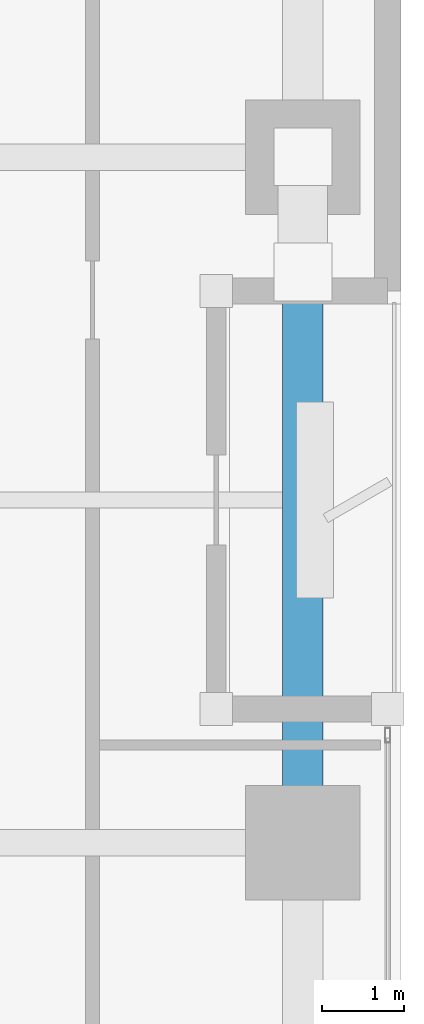
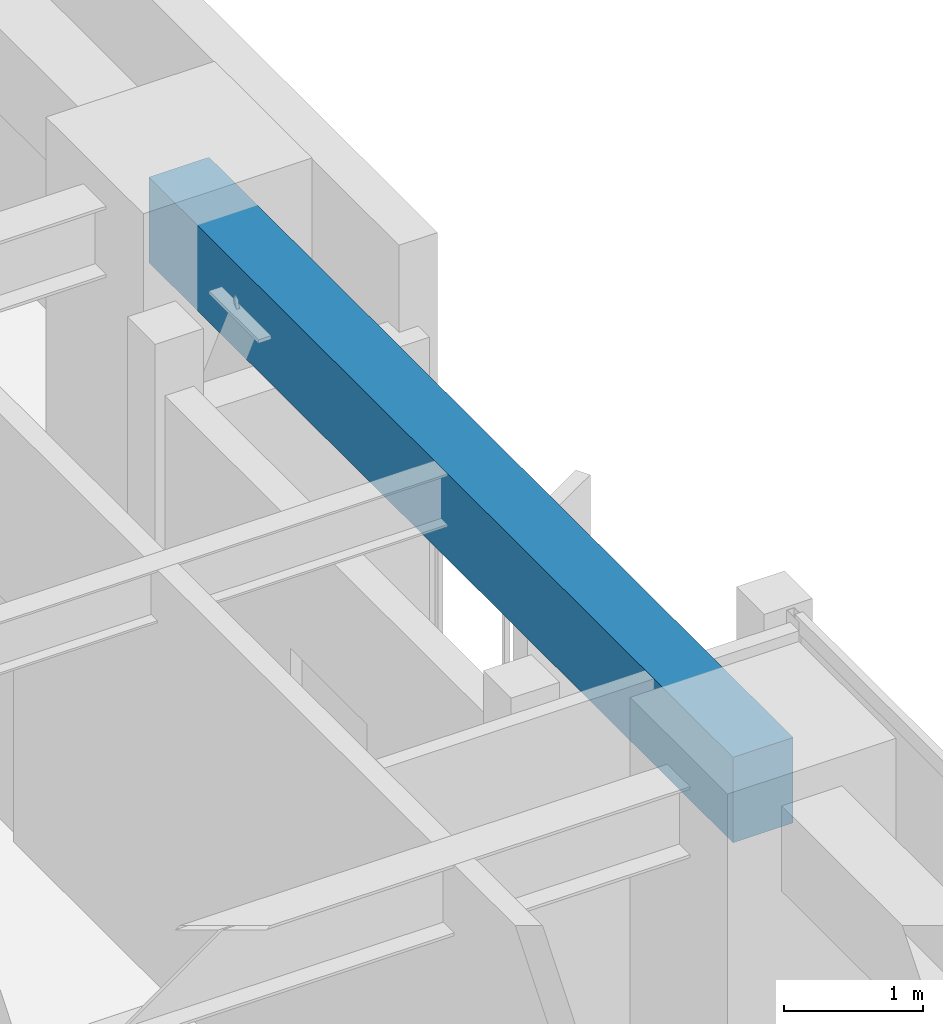
# One storey, part 7 of 24: 1 beam.
"""IFC4 building model written with IfcOpenShell, lengths in metres."""

import ifcopenshell
import ifcopenshell.guid

model = None  # the IFC model being written
_history = None  # IfcOwnerHistory: only IFC2X3 demands one
_inside = {}  # id of a spatial element -> (the spatial element, [elements in it])
_under = {}  # id of a project, library or spatial element -> (it, [spatial elements below it])
_declared = {}  # id of a project -> (the project, [libraries it declares])
_typed = {}  # id of a type object -> (the type object, [elements of that type])
_made_of = {}  # id of a material, layer set ... -> (it, [elements and type objects made of it])


def new_model(schema):
    """Start an empty IFC model of exactly this schema.

    Asked for "IFC4X3", IfcOpenShell would pick the latest addendum, in which some entities
    have other attributes; the version numbers below select the first issue.
    IFC2X3 requires an IfcOwnerHistory on every rooted entity: one is made here for all.
    """
    global model, _history
    if schema == "IFC4X3":
        model = ifcopenshell.file(schema_version=(4, 3, 0, 0))
    else:
        model = ifcopenshell.file(schema=schema)
    _inside.clear()
    _under.clear()
    _declared.clear()
    _typed.clear()
    _made_of.clear()
    _history = None
    if model.schema == "IFC2X3":
        org = make("IfcOrganization", Name="unknown")
        user = make(
            "IfcPersonAndOrganization",
            ThePerson=make("IfcPerson", FamilyName="unknown"),
            TheOrganization=org,
        )
        app = make(
            "IfcApplication",
            ApplicationDeveloper=org,
            Version="unknown",
            ApplicationFullName="unknown",
            ApplicationIdentifier="unknown",
        )
        _history = make(
            "IfcOwnerHistory",
            OwningUser=user,
            OwningApplication=app,
            ChangeAction="ADDED",
            CreationDate=0,
        )
    return model


def make(cls, **values):
    """One entity of the class cls with the attributes given. An attribute that is None is left unset."""
    return model.create_entity(
        cls, **{name: value for name, value in values.items() if value is not None}
    )


def rooted(cls, **values):
    """An entity with a GlobalId (a new one), such as an element, a storey or a relation."""
    return make(cls, GlobalId=ifcopenshell.guid.new(), OwnerHistory=_history, **values)


def si_unit(unit_type, name, prefix=None):
    """IfcSIUnit, for example si_unit("LENGTHUNIT", "METRE", prefix="MILLI")."""
    return make("IfcSIUnit", UnitType=unit_type, Prefix=prefix, Name=name)


def assignment(units):
    """IfcUnitAssignment: the units of a project."""
    return None if units is None else make("IfcUnitAssignment", Units=units)


def point(xyz):
    """IfcCartesianPoint."""
    return None if xyz is None else make("IfcCartesianPoint", Coordinates=xyz)


def direction(xyz):
    """IfcDirection."""
    return None if xyz is None else make("IfcDirection", DirectionRatios=xyz)


def frame(location, z_axis=None, x_axis=None):
    """IfcAxis2Placement3D, a coordinate frame: its origin and axes. An axis left out is left unset."""
    return make(
        "IfcAxis2Placement3D",
        Location=point(location),
        Axis=direction(z_axis),
        RefDirection=direction(x_axis),
    )


def frame_2d(location, x_axis=None):
    """IfcAxis2Placement2D, a coordinate frame in the plane: its origin and x axis."""
    return make(
        "IfcAxis2Placement2D", Location=point(location), RefDirection=direction(x_axis)
    )


def origin():
    """The frame at (0, 0, 0) with its axes left unset."""
    return frame((0.0, 0.0, 0.0))


def origin_2d():
    """The frame at (0, 0) in the plane with its x axis left unset."""
    return frame_2d((0.0, 0.0))


def place(relative_to, where):
    """IfcLocalPlacement: puts the frame where relative to a parent placement (None: the world)."""
    return make(
        "IfcLocalPlacement", PlacementRelTo=relative_to, RelativePlacement=where
    )


def context(
    kind, dimensions, precision=None, world=None, true_north=None, identifier=None
):
    """IfcGeometricRepresentationContext, for example the 3D "Model" context."""
    return make(
        "IfcGeometricRepresentationContext",
        ContextIdentifier=identifier,
        ContextType=kind,
        CoordinateSpaceDimension=dimensions,
        Precision=precision,
        WorldCoordinateSystem=world,
        TrueNorth=true_north,
    )


def subcontext(parent, identifier, kind, view, scale=None):
    """IfcGeometricRepresentationSubContext, for example "Body" below "Model"."""
    return make(
        "IfcGeometricRepresentationSubContext",
        ContextIdentifier=identifier,
        ContextType=kind,
        ParentContext=parent,
        TargetScale=scale,
        TargetView=view,
    )


def project(units=None, contexts=None):
    """IfcProject with its units and contexts."""
    return rooted(
        "IfcProject",
        Name="project",
        RepresentationContexts=contexts,
        UnitsInContext=assignment(units),
    )


def spatial(cls, under=None, at=None, **own):
    """A site, building, storey or space (cls), placed at a placement, below another one or the project."""
    s = rooted(cls, ObjectPlacement=at, **own)
    if under is not None:
        _under.setdefault(under.id(), (under, []))[1].append(s)
    return s


def profile(cls, at=None, kind="AREA", **sizes):
    """A parametric profile (cls). Its sizes go by their IFC names, for example OverallWidth=200.0."""
    return make(cls, ProfileType=kind, Position=at, **sizes)


def rectangle(**sizes):
    """IfcRectangleProfileDef."""
    return profile("IfcRectangleProfileDef", **sizes)


def extrude(swept, where, along, depth):
    """IfcExtrudedAreaSolid: the profile swept, set in the frame where, extruded along a direction by depth."""
    return make(
        "IfcExtrudedAreaSolid",
        SweptArea=swept,
        Position=where,
        ExtrudedDirection=direction(along),
        Depth=depth,
    )


def shape(context_of_items, identifier, shape_type, items):
    """IfcShapeRepresentation: the items that make up one representation, for example the "Body"."""
    return make(
        "IfcShapeRepresentation",
        ContextOfItems=context_of_items,
        RepresentationIdentifier=identifier,
        RepresentationType=shape_type,
        Items=items,
    )


def material(Name=None, Category=None):
    """IfcMaterial."""
    return make("IfcMaterial", Name=Name, Category=Category)


def material_profile(
    of_material, cross_section, Name=None, Category=None, Priority=None
):
    """IfcMaterialProfile: a cross section and its material."""
    return make(
        "IfcMaterialProfile",
        Name=Name,
        Material=of_material,
        Profile=cross_section,
        Priority=Priority,
        Category=Category,
    )


def profile_set(profiles, Name=None, composite=None):
    """IfcMaterialProfileSet."""
    return make(
        "IfcMaterialProfileSet",
        Name=Name,
        MaterialProfiles=profiles,
        CompositeProfile=composite,
    )


def made_of(thing, what):
    """Note that an element or type object is made of a material, layer set ...; save() writes the relation."""
    if what is not None:
        _made_of.setdefault(what.id(), (what, []))[1].append(thing)
    return thing


def type_object(cls, material=None, **own):
    """A type object (cls), such as IfcWallType, which elements share."""
    return made_of(rooted(cls, **own), material)


def element(
    cls,
    number,
    at=None,
    inside=None,
    cuts=None,
    type_object=None,
    material=None,
    context=None,
    identifier="Body",
    shape_type=None,
    held_by="IfcProductDefinitionShape",
    body=None,
    shapes=None,
    **own,
):
    """One element of the class cls, such as IfcWall. Its Tag is "e" and its number.

    at: its placement. inside: the storey or other place that contains it. cuts: it is an
    opening in that element (IfcRelVoidsElement). A single representation is given by context,
    identifier, shape_type and body (its items); several are given by shapes. held_by: the class
    of the entity that holds the representations. save() writes the other relations.
    """
    e = rooted(cls, Tag="e%d" % number, ObjectPlacement=at, **own)
    if body is not None:
        shapes = [shape(context, identifier, shape_type, body)]
    if shapes is not None:
        e.Representation = make(held_by, Representations=shapes)
    if inside is not None:
        _inside.setdefault(inside.id(), (inside, []))[1].append(e)
    if cuts is not None:
        rooted(
            "IfcRelVoidsElement", RelatingBuildingElement=cuts, RelatedOpeningElement=e
        )
    if type_object is not None:
        _typed.setdefault(type_object.id(), (type_object, []))[1].append(e)
    return made_of(e, material)


def aggregate(whole, parts):
    """IfcRelAggregates: a whole, such as a stair, and the parts it consists of."""
    return rooted("IfcRelAggregates", RelatingObject=whole, RelatedObjects=parts)


def save(model, path):
    """Write the relations noted so far, then the file.

    IfcRelAggregates (storeys below a building ...), IfcRelContainedInSpatialStructure (elements
    in a storey), IfcRelDefinesByType, IfcRelAssociatesMaterial and IfcRelDeclares: one each for
    every whole, place, type object, material and project.
    """
    for whole, parts in _under.values():
        aggregate(whole, parts)
    for where, things in _inside.values():
        rooted(
            "IfcRelContainedInSpatialStructure",
            RelatedElements=things,
            RelatingStructure=where,
        )
    for kind, things in _typed.values():
        rooted("IfcRelDefinesByType", RelatedObjects=things, RelatingType=kind)
    for what, things in _made_of.values():
        rooted("IfcRelAssociatesMaterial", RelatedObjects=things, RelatingMaterial=what)
    for by, libraries in _declared.values():
        rooted("IfcRelDeclares", RelatingContext=by, RelatedDefinitions=libraries)
    model.write(path)


model = new_model("IFC4")

# Units and contexts
model_context = context("Model", 3, precision=1e-05, world=origin(), true_north=direction((0.0, 1.0)))
body_context = subcontext(model_context, "Body", "Model", "MODEL_VIEW")
ifc_project = project(units=[si_unit("LENGTHUNIT", "METRE"), si_unit("AREAUNIT", "SQUARE_METRE"), si_unit("VOLUMEUNIT", "CUBIC_METRE"), si_unit("PLANEANGLEUNIT", "RADIAN"), si_unit("MASSUNIT", "GRAM", prefix="KILO")], contexts=[model_context])

# Site, building, storey
site_placement = place(None, origin())
site = spatial("IfcSite", under=ifc_project, at=site_placement, CompositionType="ELEMENT")
building_placement = place(site_placement, origin())
building = spatial("IfcBuilding", under=site, at=building_placement, Name="Kiyonajd Concourse Tower", CompositionType="ELEMENT")
storey_placement = place(building_placement, frame((0.0, 0.0, 105.300048828125)))
storey = spatial("IfcBuildingStorey", under=building, at=storey_placement, Name="L27", CompositionType="ELEMENT", Elevation=105.300048828125)

# Beam
ifc_material = material(Name="Precast concrete C50/60", Category="concrete")
ifc_material_profile = material_profile(ifc_material, rectangle(XDim=0.5, YDim=0.75, at=origin_2d()), Name="RCBM-500x750")
ifc_profile_set = profile_set([ifc_material_profile], Name="Precast concrete C50/60")
beam_type = type_object("IfcBeamType", Name="BM-SPAN-RC", PredefinedType="SPANDREL", material=ifc_profile_set)
beam_placement = place(storey_placement, frame((69.60009765625, 36.0, 3.264892578125), z_axis=(0.0, 1.0, 0.0), x_axis=(-1.0, 0.0, 0.0)))
element("IfcBeam", 1, at=beam_placement, inside=storey, type_object=beam_type, Name="L27 Perimeter Bundled Tube Spandrel", PredefinedType="SPANDREL", context=body_context, shape_type="SweptSolid", body=[
    extrude(rectangle(XDim=0.5, YDim=0.75, at=origin_2d()), origin(), (0.0, 0.0, 1.0), 8.39990234375),
])

save(model, "model.ifc")
